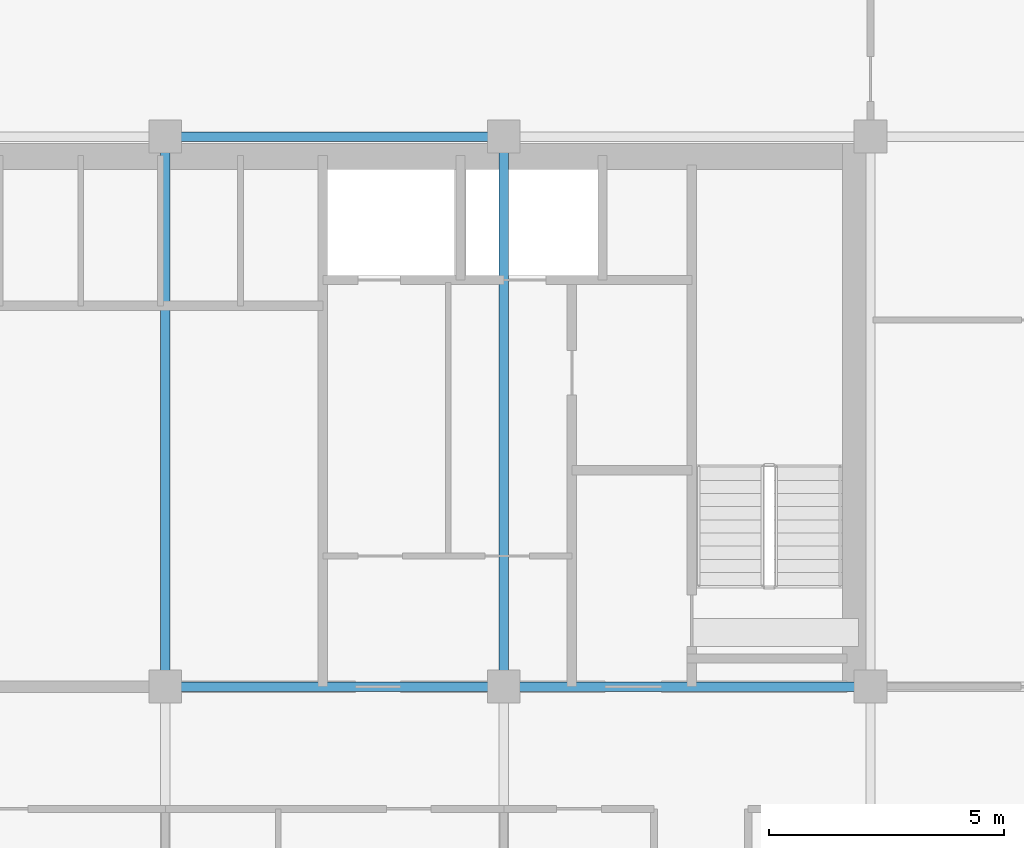
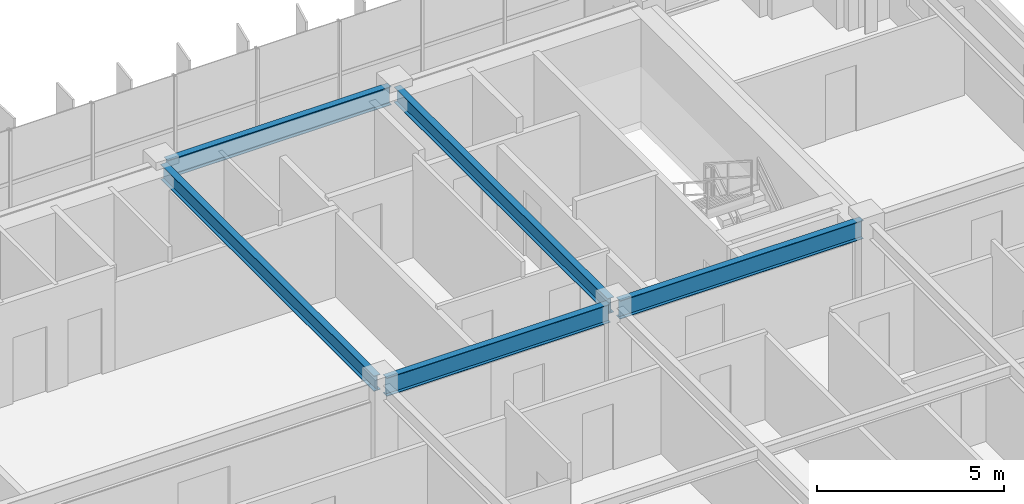
# One storey, part 8 of 20: 5 beams.
"""IFC4 building model written with IfcOpenShell, lengths in metres."""

from ifc_helpers import new_model, si_unit, direction, frame, origin, origin_2d, place, context, subcontext, project, spatial, i_section, extrude, source, transform, mapped, material, material_profile, profile_set, type_object, element, save


model = new_model("IFC4")

# Units and contexts
model_context = context("Model", 3, precision=1e-05, world=origin(), true_north=direction((0.0, 1.0)))
body_context = subcontext(model_context, "Body", "Model", "MODEL_VIEW")
ifc_project = project(units=[si_unit("LENGTHUNIT", "METRE"), si_unit("AREAUNIT", "SQUARE_METRE"), si_unit("VOLUMEUNIT", "CUBIC_METRE"), si_unit("PLANEANGLEUNIT", "RADIAN"), si_unit("MASSUNIT", "GRAM", prefix="KILO")], contexts=[model_context])

# Site, building, storey
site_placement = place(None, origin())
site = spatial("IfcSite", under=ifc_project, at=site_placement, CompositionType="ELEMENT")
building_placement = place(site_placement, origin())
building = spatial("IfcBuilding", under=site, at=building_placement, Name="Trelvane Seafront Commons", CompositionType="ELEMENT")
storey_placement = place(building_placement, frame((0.0, 0.0, 168.10009765625)))
storey = spatial("IfcBuildingStorey", under=building, at=storey_placement, Name="L44", CompositionType="ELEMENT", Elevation=168.10009765625)

# Beams
ifc_material = material(Name="Steel SM355 (S355)", Category="steel")
ifc_material_profile_1 = material_profile(ifc_material, i_section(OverallWidth=0.199951171875, OverallDepth=0.5, WebThickness=0.010009765625, FlangeThickness=0.01611328125, at=origin_2d()), Name="H-500x200x10x16")
ifc_profile_set_1 = profile_set([ifc_material_profile_1], Name="Steel SM355 (S355)")
beam_type_1 = type_object("IfcBeamType", Name="STR-BM-H500", PredefinedType="BEAM", material=ifc_profile_set_1)
shared_shape_1 = source(origin(), body_context, "Body", "SweptSolid", [
    extrude(i_section(OverallWidth=0.199951171875, OverallDepth=0.5, WebThickness=0.010009765625, FlangeThickness=0.01611328125, at=origin_2d()), origin(), (0.0, 0.0, 1.0), 11.39990234375),
])
for number, where, z_axis, x_axis, name in (
    (1, (43.800048828125, 33.550048828125, 3.099853515625), (0.0, 1.0, 0.0), (-1.0, 0.0, 0.0), "L44 Primary Girder G-43"),
    (2, (51.0, 33.550048828125, 3.099853515625), (0.0, 1.0, 0.0), (-1.0, 0.0, 0.0), "L44 Primary Girder G-46"),
):
    element("IfcBeam", number, at=place(storey_placement, frame(where, z_axis=z_axis, x_axis=x_axis)), inside=storey, type_object=beam_type_1, Name=name, PredefinedType="BEAM", context=body_context, shape_type="MappedRepresentation", body=[
        mapped(shared_shape_1, transform((0.0, 0.0, 0.0), x_axis=(1.0, 0.0, 0.0), y_axis=(0.0, 1.0, 0.0), z_axis=(0.0, 0.0, 1.0), scale=1.0)),
    ])
ifc_material_profile_2 = material_profile(ifc_material, i_section(OverallWidth=0.199951171875, OverallDepth=0.60009765625, WebThickness=0.010986328125, FlangeThickness=0.01708984375, at=origin_2d()), Name="H-600x200x11x17")
ifc_profile_set_2 = profile_set([ifc_material_profile_2], Name="Steel SM355 (S355)")
beam_type_2 = type_object("IfcBeamType", Name="STR-SPD-H600", PredefinedType="SPANDREL", material=ifc_profile_set_2)
shared_shape_2 = source(origin(), body_context, "Body", "SweptSolid", [
    extrude(i_section(OverallWidth=0.199951171875, OverallDepth=0.60009765625, WebThickness=0.010986328125, FlangeThickness=0.01708984375, at=origin_2d()), origin(), (0.0, 0.0, 1.0), 7.5),
])
beam_placement = place(storey_placement, frame((51.14990234375, 33.39990234375, 3.0498046875), z_axis=(1.0, 0.0, 0.0), x_axis=(0.0, 1.0, 0.0)))
element("IfcBeam", 3, at=beam_placement, inside=storey, type_object=beam_type_2, Name="L44 Primary Girder G-20", PredefinedType="SPANDREL", context=body_context, shape_type="MappedRepresentation", body=[
    mapped(shared_shape_2, transform((0.0, 0.0, 0.0), x_axis=(1.0, 0.0, 0.0), y_axis=(0.0, 1.0, 0.0), z_axis=(0.0, 0.0, 1.0), scale=1.0)),
])
shared_shape_3 = source(origin(), body_context, "Body", "SweptSolid", [
    extrude(i_section(OverallWidth=0.199951171875, OverallDepth=0.60009765625, WebThickness=0.010986328125, FlangeThickness=0.01708984375, at=origin_2d()), origin(), (0.0, 0.0, 1.0), 6.900146484375),
])
for number, where, z_axis, x_axis, name in (
    (4, (43.949951171875, 33.39990234375, 3.0498046875), (1.0, 0.0, 0.0), (0.0, 1.0, 0.0), "L44 Primary Girder G-19"),
    (5, (43.949951171875, 45.10009765625, 3.0498046875), (1.0, 0.0, 0.0), (0.0, 1.0, 0.0), "L44 Primary Girder G-26"),
):
    element("IfcBeam", number, at=place(storey_placement, frame(where, z_axis=z_axis, x_axis=x_axis)), inside=storey, type_object=beam_type_2, Name=name, PredefinedType="SPANDREL", context=body_context, shape_type="MappedRepresentation", body=[
        mapped(shared_shape_3, transform((0.0, 0.0, 0.0), x_axis=(1.0, 0.0, 0.0), y_axis=(0.0, 1.0, 0.0), z_axis=(0.0, 0.0, 1.0), scale=1.0)),
    ])

save(model, "model.ifc")
